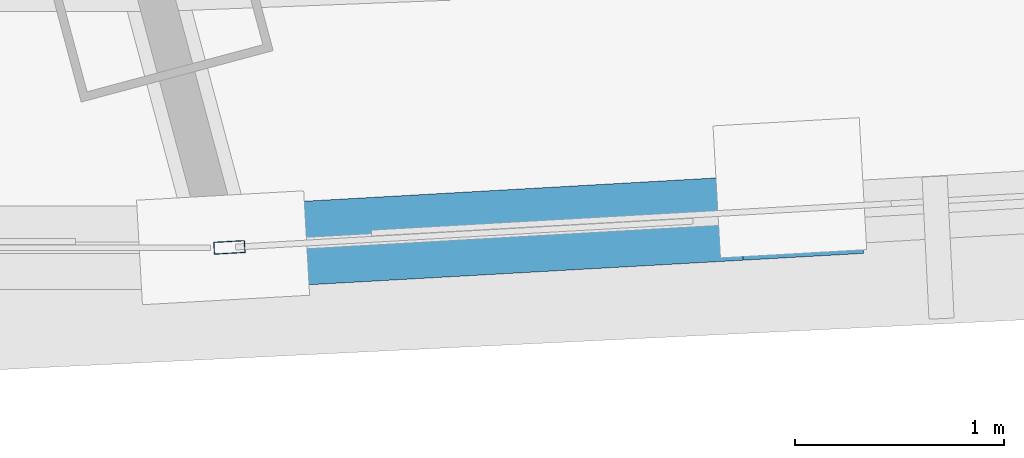
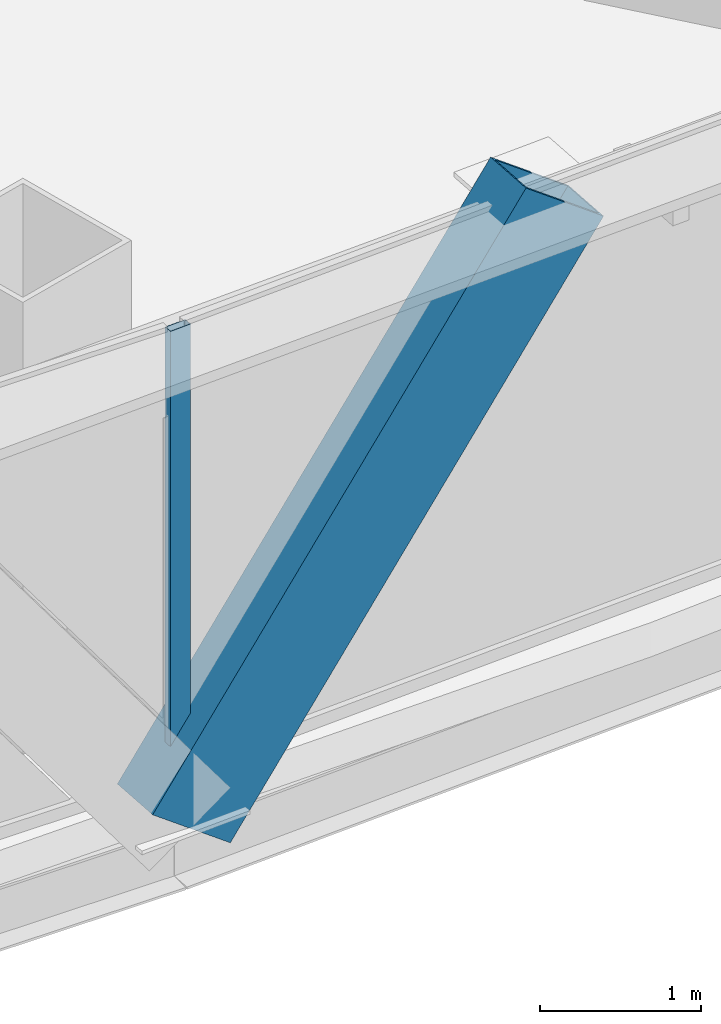
# One storey, part 12 of 40: 2 members, 1 element without a shape of its own.
"""IFC4 building model written with IfcOpenShell, lengths in metres."""

from ifc_helpers import new_model, si_unit, direction, frame, origin, origin_2d, place, context, subcontext, project, spatial, hollow_rectangle, extrude, source, transform, mapped, material, layer, layer_set, material_profile, profile_set, type_object, element, aggregate, save


model = new_model("IFC4")

# Units and contexts
model_context = context("Model", 3, precision=1e-05, world=origin(), true_north=direction((0.0, 1.0)))
body_context = subcontext(model_context, "Body", "Model", "MODEL_VIEW")
ifc_project = project(units=[si_unit("LENGTHUNIT", "METRE"), si_unit("AREAUNIT", "SQUARE_METRE"), si_unit("VOLUMEUNIT", "CUBIC_METRE"), si_unit("PLANEANGLEUNIT", "RADIAN"), si_unit("MASSUNIT", "GRAM", prefix="KILO"), si_unit("THERMODYNAMICTEMPERATUREUNIT", "KELVIN"), si_unit("POWERUNIT", "WATT")], contexts=[model_context])

# Site, building, storey
site_placement = place(None, origin())
site = spatial("IfcSite", under=ifc_project, at=site_placement, CompositionType="ELEMENT")
building_placement = place(site_placement, origin())
building = spatial("IfcBuilding", under=site, at=building_placement, Name="Yunzhuo Pagoda Commons", CompositionType="ELEMENT")
storey_placement = place(building_placement, frame((0.0, 0.0, 159.27001953125)))
storey = spatial("IfcBuildingStorey", under=building, at=storey_placement, Name="L40", CompositionType="ELEMENT", Elevation=159.27001953125)

# Member
ifc_material_1 = material(Name="Structural steel Q355B", Category="steel")
ifc_material_profile_1 = material_profile(ifc_material_1, hollow_rectangle(XDim=0.39990234375, YDim=0.719970703125, WallThickness=0.02392578125, at=origin_2d()), Name="Structural steel Q355B")
ifc_profile_set_1 = profile_set([ifc_material_profile_1], Name="Structural steel Q355B")
member_type_1 = type_object("IfcMemberType", Name="M-DL2 Brace BOX 720x400x24", PredefinedType="BRACE", material=ifc_profile_set_1)
shared_shape_1 = source(origin(), body_context, "Body", "SweptSolid", [
    extrude(hollow_rectangle(XDim=0.39990234375, YDim=0.719970703125, WallThickness=0.02392578125, at=origin_2d()), origin(), (0.0, 0.0, 1.0), 4.603515625),
])
member_1_placement = place(storey_placement, frame((53.427490234375, 13.44384765625, -0.260009765625), z_axis=(0.59986640331, 0.03394169376, 0.799379921942), x_axis=(-0.056491730434, 0.998403067099, 0.0)))
element("IfcMember", 1, at=member_1_placement, inside=storey, type_object=member_type_1, Name="L40 facade diamond brace F1.3L", PredefinedType="BRACE", context=body_context, shape_type="MappedRepresentation", body=[
    mapped(shared_shape_1, transform((0.0, 0.0, 0.0), scale=1.0)),
])

# Curtain wall, member
ifc_material_2 = material(Name="Anodized aluminium 6063-T6", Category="aluminium")
ifc_layer = layer(ifc_material_2, 0.14990234375)
ifc_layer_set = layer_set([ifc_layer], Name="Anodized aluminium 6063-T6")
curtain_wall_type = type_object("IfcCurtainWallType", Name="CW-MID Mid-Zone Ribbon Curtain Wall", PredefinedType="NOTDEFINED", material=ifc_layer_set)
curtain_wall_placement = place(storey_placement, origin())
curtain_wall = element("IfcCurtainWall", 2, at=curtain_wall_placement, inside=storey, type_object=curtain_wall_type, Name="L40 curtain wall CW-L40-F1B4", PredefinedType="NOTDEFINED")
ifc_material_profile_2 = material_profile(ifc_material_2, hollow_rectangle(XDim=0.06005859375, YDim=0.14990234375, WallThickness=0.00390625, at=origin_2d()), Name="Anodized aluminium 6063-T6")
ifc_profile_set_2 = profile_set([ifc_material_profile_2], Name="Anodized aluminium 6063-T6")
member_type_2 = type_object("IfcMemberType", Name="CW-MID-M Mullion RHS 150x60x4", PredefinedType="MULLION", material=ifc_profile_set_2)
shared_shape_2 = source(origin(), body_context, "Body", "SweptSolid", [
    extrude(hollow_rectangle(XDim=0.06005859375, YDim=0.14990234375, WallThickness=0.00390625, at=origin_2d()), origin(), (0.0, 0.0, 1.0), 3.419677734375),
])
member_2_placement = place(storey_placement, frame((53.457763671875, 13.445556640625, 0.000244140625), z_axis=(0.0, 0.0, 1.0), x_axis=(-0.056459249567, 0.998404904404, 0.0)))
member_2 = element("IfcMember", 3, at=member_2_placement, type_object=member_type_2, Name="CW mullion 1", PredefinedType="MULLION", context=body_context, shape_type="MappedRepresentation", body=[
    mapped(shared_shape_2, transform((0.0, 0.0, 0.0), scale=1.0)),
])
aggregate(curtain_wall, [member_2])

save(model, "model.ifc")
